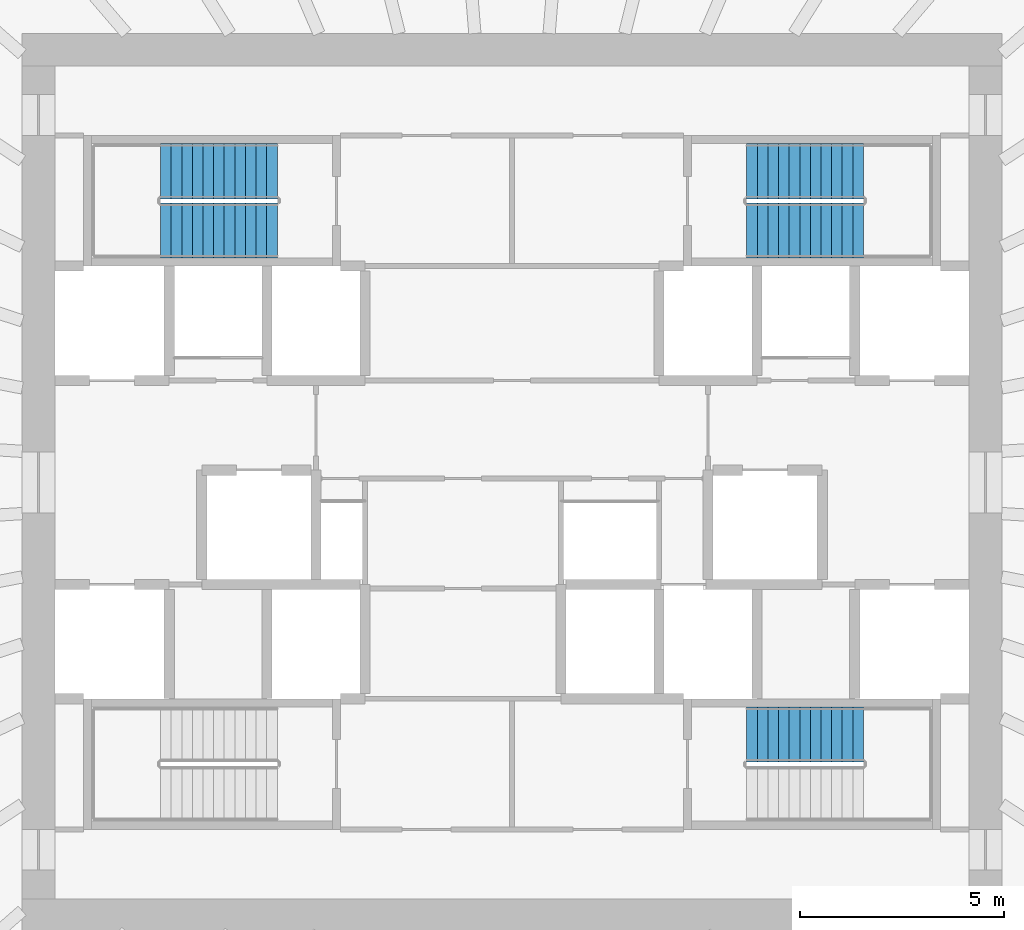
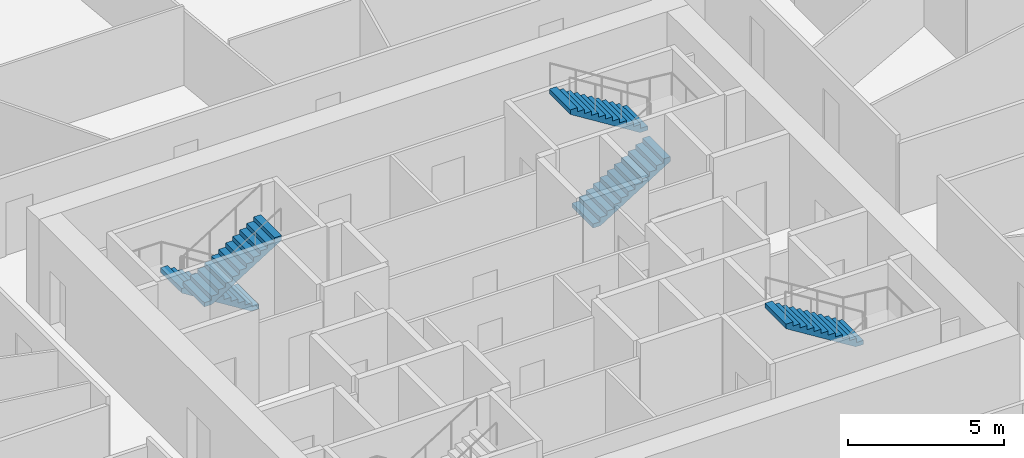
# One storey, part 10 of 11: 5 stair flights, 3 elements without a shape of their own.
"""IFC4 building model written with IfcOpenShell, lengths in metres."""

from ifc_helpers import new_model, si_unit, direction, frame, origin, place, context, subcontext, project, spatial, polyline, outline, extrude, source, transform, mapped, material, type_object, element, aggregate, save


model = new_model("IFC4")

# Units and contexts
model_context = context("Model", 3, precision=1e-05, world=origin(), true_north=direction((0.0, 1.0)))
body_context = subcontext(model_context, "Body", "Model", "MODEL_VIEW")
ifc_project = project(units=[si_unit("LENGTHUNIT", "METRE"), si_unit("AREAUNIT", "SQUARE_METRE"), si_unit("VOLUMEUNIT", "CUBIC_METRE"), si_unit("PLANEANGLEUNIT", "RADIAN"), si_unit("MASSUNIT", "GRAM", prefix="KILO")], contexts=[model_context])

# Site, building, storey
site_placement = place(None, origin())
site = spatial("IfcSite", under=ifc_project, at=site_placement, CompositionType="ELEMENT")
building_placement = place(site_placement, origin())
building = spatial("IfcBuilding", under=site, at=building_placement, Name="Embergate Tower", CompositionType="ELEMENT")
storey_placement = place(building_placement, frame((0.0, 0.0, 207.300048828125)))
storey = spatial("IfcBuildingStorey", under=building, at=storey_placement, Name="L47", CompositionType="ELEMENT", Elevation=207.300048828125)

# Stair, stair flights
ifc_material_1 = material(Name="Exit stair")
stair_type = type_object("IfcStairType", Name="Exit stair", PredefinedType="HALF_TURN_STAIR", material=ifc_material_1)
stair_1_placement = place(storey_placement, origin())
stair_1 = element("IfcStair", 1, at=stair_1_placement, inside=storey, type_object=stair_type, Name="L47 Exit stair 1", PredefinedType="HALF_TURN_STAIR")
ifc_material_2 = material(Name="Concrete C40", Category="concrete")
stair_flight_type = type_object("IfcStairFlightType", Name="Stair flight reinforced concrete", PredefinedType="STRAIGHT", material=ifc_material_2)
shared_shape = source(origin(), body_context, "Body", "SweptSolid", [
    extrude(outline(polyline([(0.0, 0.0), (0.0, 0.16259765625), (0.260009765625, 0.16259765625), (0.260009765625, 0.324951171875), (0.52001953125, 0.324951171875), (0.52001953125, 0.487548828125), (0.780029296875, 0.487548828125), (0.780029296875, 0.64990234375), (1.0400390625, 0.64990234375), (1.0400390625, 0.8125), (1.300048828125, 0.8125), (1.300048828125, 0.97509765625), (1.56005859375, 0.97509765625), (1.56005859375, 1.137451171875), (1.820068359375, 1.137451171875), (1.820068359375, 1.300048828125), (2.080078125, 1.300048828125), (2.080078125, 1.46240234375), (2.340087890625, 1.46240234375), (2.340087890625, 1.625), (2.60009765625, 1.625), (2.60009765625, 1.78759765625), (2.860107421875, 1.78759765625), (2.860107421875, 1.949951171875), (2.860107421875, 1.61083984375), (0.28271484375, 0.0), (0.0, 0.0)])), frame((0.0, 0.675048828125, 0.0), z_axis=(0.0, -1.0, 0.0), x_axis=(1.0, 0.0, 0.0)), (0.0, 0.0, 1.0), 1.35009765625),
])
stair_flight_1_placement = place(storey_placement, frame((-5.75, 7.625, 0.0), z_axis=(0.0, 0.0, 1.0), x_axis=(-1.0, 0.0, 0.0)))
stair_flight_1 = element("IfcStairFlight", 2, at=stair_flight_1_placement, type_object=stair_flight_type, Name="ST1 flight 1", NumberOfRisers=12, NumberOfTreads=11, PredefinedType="STRAIGHT", RiserHeight=0.1625, TreadLength=0.26, context=body_context, shape_type="MappedRepresentation", body=[
    mapped(shared_shape, transform((0.0, 0.0, 0.0))),
])
stair_flight_2_placement = place(storey_placement, frame((-8.610107421875, 6.175048828125, 1.949951171875), z_axis=(0.0, 0.0, 1.0), x_axis=(1.0, 0.0, 0.0)))
stair_flight_2 = element("IfcStairFlight", 3, at=stair_flight_2_placement, type_object=stair_flight_type, Name="ST1 flight 2", NumberOfRisers=12, NumberOfTreads=11, PredefinedType="STRAIGHT", RiserHeight=0.1625, TreadLength=0.26, context=body_context, shape_type="MappedRepresentation", body=[
    mapped(shared_shape, transform((0.0, 0.0, 0.0))),
])
aggregate(stair_1, [stair_flight_1, stair_flight_2])

stair_2_placement = place(storey_placement, origin())
stair_2 = element("IfcStair", 4, at=stair_2_placement, inside=storey, type_object=stair_type, Name="L47 Exit stair 2", PredefinedType="HALF_TURN_STAIR")
stair_flight_3_placement = place(storey_placement, frame((5.75, 6.175048828125, 0.0), z_axis=(0.0, 0.0, 1.0), x_axis=(1.0, 0.0, 0.0)))
stair_flight_3 = element("IfcStairFlight", 5, at=stair_flight_3_placement, type_object=stair_flight_type, Name="ST2 flight 1", NumberOfRisers=12, NumberOfTreads=11, PredefinedType="STRAIGHT", RiserHeight=0.1625, TreadLength=0.26, context=body_context, shape_type="MappedRepresentation", body=[
    mapped(shared_shape, transform((0.0, 0.0, 0.0))),
])
stair_flight_4_placement = place(storey_placement, frame((8.610107421875, 7.625, 1.949951171875), z_axis=(0.0, 0.0, 1.0), x_axis=(-1.0, 0.0, 0.0)))
stair_flight_4 = element("IfcStairFlight", 6, at=stair_flight_4_placement, type_object=stair_flight_type, Name="ST2 flight 2", NumberOfRisers=12, NumberOfTreads=11, PredefinedType="STRAIGHT", RiserHeight=0.1625, TreadLength=0.26, context=body_context, shape_type="MappedRepresentation", body=[
    mapped(shared_shape, transform((0.0, 0.0, 0.0))),
])
aggregate(stair_2, [stair_flight_3, stair_flight_4])

# Stair, stair flight
stair_3_placement = place(storey_placement, origin())
stair_3 = element("IfcStair", 7, at=stair_3_placement, inside=storey, type_object=stair_type, Name="L47 Exit stair 4", PredefinedType="HALF_TURN_STAIR")
stair_flight_5_placement = place(storey_placement, frame((8.610107421875, -6.175048828125, 1.949951171875), z_axis=(0.0, 0.0, 1.0), x_axis=(-1.0, 0.0, 0.0)))
stair_flight_5 = element("IfcStairFlight", 8, at=stair_flight_5_placement, type_object=stair_flight_type, Name="ST4 flight 2", NumberOfRisers=12, NumberOfTreads=11, PredefinedType="STRAIGHT", RiserHeight=0.1625, TreadLength=0.26, context=body_context, shape_type="MappedRepresentation", body=[
    mapped(shared_shape, transform((0.0, 0.0, 0.0))),
])
aggregate(stair_3, [stair_flight_5])

save(model, "model.ifc")
